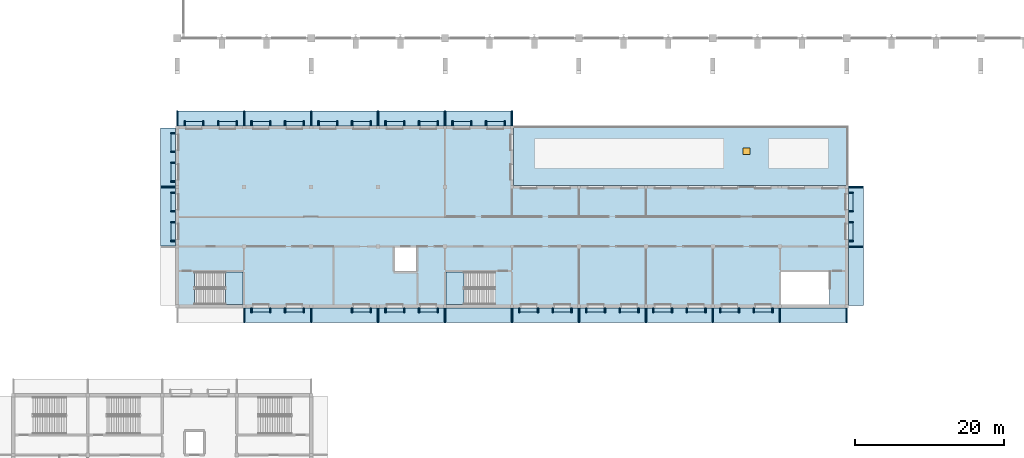
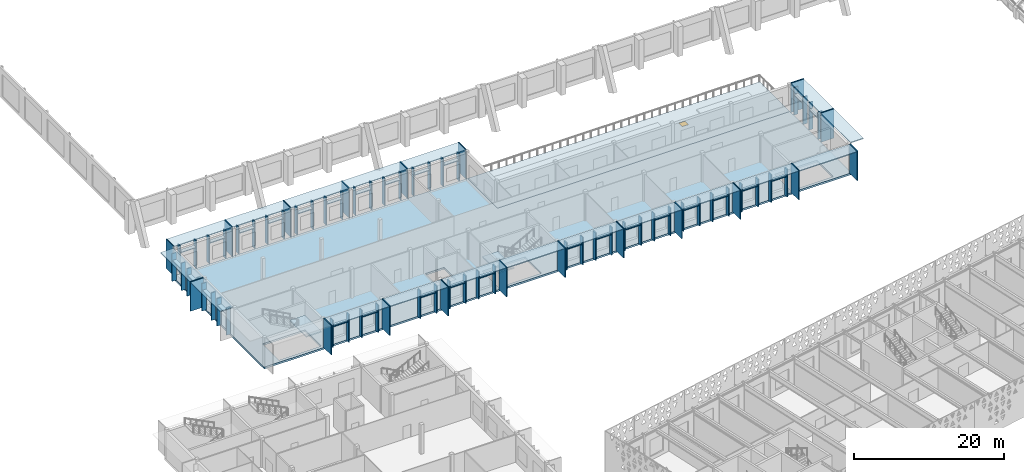
# One storey, part 99 of 182: 124 plates, 4 slabs, 1 window, 1 opening, 2 elements without a shape of their own.
"""IFC4 building model written with IfcOpenShell, lengths in metres."""

from ifc_helpers import new_model, si_unit, direction, frame, origin, origin_2d, place, context, subcontext, project, spatial, polyline, rectangle, outline, extrude, material, layer, layer_set, type_object, element, fill, aggregate, save


model = new_model("IFC4")

# Units and contexts
model_context = context("Model", 3, precision=1e-05, world=origin(), true_north=direction((0.0, 1.0)))
body_context = subcontext(model_context, "Body", "Model", "MODEL_VIEW")
ifc_project = project(units=[si_unit("LENGTHUNIT", "METRE"), si_unit("AREAUNIT", "SQUARE_METRE"), si_unit("VOLUMEUNIT", "CUBIC_METRE"), si_unit("PLANEANGLEUNIT", "RADIAN"), si_unit("MASSUNIT", "GRAM", prefix="KILO")], contexts=[model_context])

# Site, building, storey
site_placement = place(None, origin())
site = spatial("IfcSite", under=ifc_project, at=site_placement, CompositionType="ELEMENT")
building_placement = place(site_placement, origin())
building = spatial("IfcBuilding", under=site, at=building_placement, Name="Okhra Congress Centre", CompositionType="ELEMENT")
storey_placement = place(building_placement, frame((0.0, 0.0, 7.199951171875)))
storey = spatial("IfcBuildingStorey", under=building, at=storey_placement, Name="L01", CompositionType="ELEMENT", Elevation=7.199951171875)

# Plates
ifc_material_1 = material(Name="Precast concrete C40/50", Category="concrete")
plate_type_1 = type_object("IfcPlateType", Name="Precast concrete blade 150x2000 C40/50", PredefinedType="SHEET", material=ifc_material_1)
for number, where, z_axis, x_axis, name in (
    (1, (37.0, 94.77490234375, 0.0), (0.0, 0.0, 1.0), (1.0, 0.0, 0.0), "SV.PLT.L01.blade-2"),
    (2, (46.0, 94.77490234375, 0.0), (0.0, 0.0, 1.0), (1.0, 0.0, 0.0), "SV.PLT.L01.blade-3"),
    (3, (55.0, 94.77490234375, 0.0), (0.0, 0.0, 1.0), (1.0, 0.0, 0.0), "SV.PLT.L01.blade-4"),
    (4, (64.0, 94.77490234375, 0.0), (0.0, 0.0, 1.0), (1.0, 0.0, 0.0), "SV.PLT.L01.blade-5"),
    (5, (73.0, 94.77490234375, 0.0), (0.0, 0.0, 1.0), (1.0, 0.0, 0.0), "SV.PLT.L01.blade-6"),
    (6, (82.0, 94.77490234375, 0.0), (0.0, 0.0, 1.0), (1.0, 0.0, 0.0), "SV.PLT.L01.blade-7"),
    (7, (91.0, 94.77490234375, 0.0), (0.0, 0.0, 1.0), (1.0, 0.0, 0.0), "SV.PLT.L01.blade-8"),
    (8, (100.0, 94.77490234375, 0.0), (0.0, 0.0, 1.0), (1.0, 0.0, 0.0), "SV.PLT.L01.blade-9"),
    (9, (109.0, 94.77490234375, 0.0), (0.0, 0.0, 1.0), (1.0, 0.0, 0.0), "SV.PLT.L01.blade-10"),
    (10, (118.0, 94.77490234375, 0.0), (0.0, 0.0, 1.0), (1.0, 0.0, 0.0), "SV.PLT.L01.blade-11"),
    (11, (28.0, 121.22509765625, 0.0), (0.0, 0.0, 1.0), (-1.0, 0.0, 0.0), "SV.PLT.L01.blade-12"),
    (12, (37.0, 121.22509765625, 0.0), (0.0, 0.0, 1.0), (-1.0, 0.0, 0.0), "SV.PLT.L01.blade-13"),
    (13, (46.0, 121.22509765625, 0.0), (0.0, 0.0, 1.0), (-1.0, 0.0, 0.0), "SV.PLT.L01.blade-14"),
    (14, (55.0, 121.22509765625, 0.0), (0.0, 0.0, 1.0), (-1.0, 0.0, 0.0), "SV.PLT.L01.blade-15"),
    (15, (64.0, 121.22509765625, 0.0), (0.0, 0.0, 1.0), (-1.0, 0.0, 0.0), "SV.PLT.L01.blade-16"),
    (16, (73.0, 121.22509765625, 0.0), (0.0, 0.0, 1.0), (-1.0, 0.0, 0.0), "SV.PLT.L01.blade-17"),
    (17, (26.77490234375, 112.0, 0.0), (0.0, 0.0, 1.0), (0.0, -1.0, 0.0), "SV.PLT.L01.blade-19"),
    (18, (119.22509765625, 104.0, 0.0), (0.0, 0.0, 1.0), (0.0, 1.0, 0.0), "SV.PLT.L01.blade-20"),
    (19, (119.22509765625, 112.0, 0.0), (0.0, 0.0, 1.0), (0.0, 1.0, 0.0), "SV.PLT.L01.blade-21"),
):
    element("IfcPlate", number, at=place(storey_placement, frame(where, z_axis=z_axis, x_axis=x_axis)), inside=storey, type_object=plate_type_1, Name=name, PredefinedType="SHEET", context=body_context, shape_type="SweptSolid", body=[
        extrude(rectangle(XDim=0.14990234375, YDim=2.0, at=origin_2d()), origin(), (0.0, 0.0, 1.0), 4.800048828125),
    ])
ifc_layer_1 = layer(ifc_material_1, 0.14990234375)
ifc_layer_set_1 = layer_set([ifc_layer_1], Name="Precast concrete shelf 150x2000 C40/50")
plate_type_2 = type_object("IfcPlateType", Name="Precast concrete shelf 150x2000 C40/50", PredefinedType="SHEET", material=ifc_layer_set_1)
for number, where, z_axis, x_axis, name in (
    (20, (41.5, 94.77490234375, 4.60009765625), (0.0, 0.0, 1.0), (1.0, 0.0, 0.0), "SV.PLT.L01.shelf-2"),
    (21, (50.5, 94.77490234375, 4.60009765625), (0.0, 0.0, 1.0), (1.0, 0.0, 0.0), "SV.PLT.L01.shelf-3"),
    (22, (59.5, 94.77490234375, 4.60009765625), (0.0, 0.0, 1.0), (1.0, 0.0, 0.0), "SV.PLT.L01.shelf-4"),
    (23, (68.5, 94.77490234375, 4.60009765625), (0.0, 0.0, 1.0), (1.0, 0.0, 0.0), "SV.PLT.L01.shelf-5"),
    (24, (77.5, 94.77490234375, 4.60009765625), (0.0, 0.0, 1.0), (1.0, 0.0, 0.0), "SV.PLT.L01.shelf-6"),
    (25, (86.5, 94.77490234375, 4.60009765625), (0.0, 0.0, 1.0), (1.0, 0.0, 0.0), "SV.PLT.L01.shelf-7"),
    (26, (95.5, 94.77490234375, 4.60009765625), (0.0, 0.0, 1.0), (1.0, 0.0, 0.0), "SV.PLT.L01.shelf-8"),
    (27, (104.5, 94.77490234375, 4.60009765625), (0.0, 0.0, 1.0), (1.0, 0.0, 0.0), "SV.PLT.L01.shelf-9"),
    (28, (113.5, 94.77490234375, 4.60009765625), (0.0, 0.0, 1.0), (1.0, 0.0, 0.0), "SV.PLT.L01.shelf-10"),
    (29, (32.5, 121.22509765625, 4.60009765625), (0.0, 0.0, 1.0), (-1.0, 0.0, 0.0), "SV.PLT.L01.shelf-11"),
    (30, (41.5, 121.22509765625, 4.60009765625), (0.0, 0.0, 1.0), (-1.0, 0.0, 0.0), "SV.PLT.L01.shelf-12"),
    (31, (50.5, 121.22509765625, 4.60009765625), (0.0, 0.0, 1.0), (-1.0, 0.0, 0.0), "SV.PLT.L01.shelf-13"),
    (32, (59.5, 121.22509765625, 4.60009765625), (0.0, 0.0, 1.0), (-1.0, 0.0, 0.0), "SV.PLT.L01.shelf-14"),
    (33, (68.5, 121.22509765625, 4.60009765625), (0.0, 0.0, 1.0), (-1.0, 0.0, 0.0), "SV.PLT.L01.shelf-15"),
):
    element("IfcPlate", number, at=place(storey_placement, frame(where, z_axis=z_axis, x_axis=x_axis)), inside=storey, type_object=plate_type_2, Name=name, PredefinedType="SHEET", context=body_context, shape_type="SweptSolid", body=[
        extrude(rectangle(XDim=8.840087890625, YDim=2.0, at=origin_2d()), origin(), (0.0, 0.0, 1.0), 0.14990234375),
    ])
for number, where, z_axis, x_axis, name in (
    (34, (26.77490234375, 108.0, 4.60009765625), (0.0, 0.0, 1.0), (0.0, -1.0, 0.0), "SV.PLT.L01.shelf-17"),
    (35, (26.77490234375, 116.0, 4.60009765625), (0.0, 0.0, 1.0), (0.0, -1.0, 0.0), "SV.PLT.L01.shelf-18"),
    (36, (119.22509765625, 100.0, 4.60009765625), (0.0, 0.0, 1.0), (0.0, 1.0, 0.0), "SV.PLT.L01.shelf-19"),
    (37, (119.22509765625, 108.0, 4.60009765625), (0.0, 0.0, 1.0), (0.0, 1.0, 0.0), "SV.PLT.L01.shelf-20"),
):
    element("IfcPlate", number, at=place(storey_placement, frame(where, z_axis=z_axis, x_axis=x_axis)), inside=storey, type_object=plate_type_2, Name=name, PredefinedType="SHEET", context=body_context, shape_type="SweptSolid", body=[
        extrude(rectangle(XDim=7.840087890625, YDim=2.0, at=origin_2d()), origin(), (0.0, 0.0, 1.0), 0.14990234375),
    ])

# Slab
ifc_material_2 = material(Name="Concrete C30/37", Category="concrete")
ifc_layer_2 = layer(ifc_material_2, 0.300048828125)
ifc_layer_set_2 = layer_set([ifc_layer_2], Name="RC floor slab 300 REI 120 C30/37")
slab_type_1 = type_object("IfcSlabType", Name="RC floor slab 300 REI 120 C30/37", PredefinedType="FLOOR", material=ifc_layer_set_2)
slab_1_placement = place(storey_placement, frame((0.0, 0.0, -0.300048828125)))
element("IfcSlab", 38, at=slab_1_placement, inside=storey, type_object=slab_type_1, Name="Floor slab L01", PredefinedType="FLOOR", context=body_context, shape_type="SweptSolid", body=[
    extrude(outline(polyline([(118.22509765625, 95.77490234375), (118.22509765625, 112.22509765625), (73.22509765625, 112.22509765625), (73.22509765625, 120.22509765625), (27.77490234375, 120.22509765625), (27.77490234375, 95.77490234375), (118.22509765625, 95.77490234375)]), holes=[polyline([(30.327880859375, 96.22509765625), (36.85009765625, 96.22509765625), (36.85009765625, 100.574951171875), (30.327880859375, 100.574951171875), (30.327880859375, 96.22509765625)]), polyline([(70.7470703125, 100.574951171875), (64.14990234375, 100.574951171875), (64.14990234375, 96.22509765625), (70.7470703125, 96.22509765625), (70.7470703125, 100.574951171875)]), polyline([(115.672119140625, 100.574951171875), (109.14990234375, 100.574951171875), (109.14990234375, 96.22509765625), (115.672119140625, 96.22509765625), (115.672119140625, 100.574951171875)]), polyline([(57.25, 100.64990234375), (60.14990234375, 100.64990234375), (60.14990234375, 103.875), (57.25, 103.875), (57.25, 100.64990234375)])]), origin(), (0.0, 0.0, 1.0), 0.300048828125),
])

# Slab, opening, window
ifc_layer_3 = layer(ifc_material_2, 0.300048828125)
ifc_layer_set_3 = layer_set([ifc_layer_3], Name="RC roof terrace slab 300 REI 120 C30/37")
slab_type_2 = type_object("IfcSlabType", Name="RC roof terrace slab 300 REI 120 C30/37", PredefinedType="ROOF", material=ifc_layer_set_3)
slab_2_placement = place(storey_placement, frame((0.0, 0.0, -0.300048828125)))
slab_2 = element("IfcSlab", 39, at=slab_2_placement, inside=storey, type_object=slab_type_2, Name="Roof garden slab, north strip", PredefinedType="ROOF", context=body_context, shape_type="SweptSolid", body=[
    extrude(outline(polyline([(73.22509765625, 112.22509765625), (118.22509765625, 112.22509765625), (118.22509765625, 120.22509765625), (73.22509765625, 120.22509765625), (73.22509765625, 112.22509765625)])), origin(), (0.0, 0.0, 1.0), 0.300048828125),
])
opening_placement = place(slab_2_placement, frame((104.5, 116.800048828125, 0.0)))
opening = element("IfcOpeningElement", 40, at=opening_placement, cuts=slab_2, Name="Opening RH1", PredefinedType="OPENING", context=body_context, shape_type="SweptSolid", body=[
    extrude(rectangle(XDim=0.89990234375, YDim=0.89990234375, at=origin_2d()), origin(), (0.0, 0.0, 1.0), 0.300048828125),
])
ifc_material_3 = material(Name="Insulated aluminium hatch with double-skin lid", Category="aluminium")
window_type = type_object("IfcWindowType", Name="Roof access hatch 900x900", PartitioningType="SINGLE_PANEL", PredefinedType="SKYLIGHT", material=ifc_material_3)
window_placement = place(opening_placement, frame((0.0, 0.0, 0.25)))
window = element("IfcWindow", 41, at=window_placement, inside=storey, type_object=window_type, Name="Roof access hatch", OverallHeight=0.89990234375, OverallWidth=0.89990234375, PartitioningType="SINGLE_PANEL", PredefinedType="SKYLIGHT", context=body_context, shape_type="SweptSolid", body=[
    extrude(rectangle(XDim=0.89990234375, YDim=0.89990234375, at=origin_2d()), origin(), (0.0, 0.0, 1.0), 0.050048828125),
])
fill(opening, window)

# Stair, slab
stair_type = type_object("IfcStairType", Name="Escape stair 2100 wide, 30 risers of 160.0", PredefinedType="HALF_TURN_STAIR", material=ifc_material_2)
stair_1_placement = place(storey_placement, origin())
stair_1 = element("IfcStair", 42, at=stair_1_placement, inside=storey, type_object=stair_type, Name="L01 Stair A", PredefinedType="HALF_TURN_STAIR")
ifc_layer_4 = layer(ifc_material_2, 0.199951171875)
ifc_layer_set_4 = layer_set([ifc_layer_4], Name="RC stair landing 200 C30/37")
slab_type_3 = type_object("IfcSlabType", Name="RC stair landing 200 C30/37", PredefinedType="LANDING", material=ifc_layer_set_4)
slab_3_placement = place(storey_placement, frame((0.0, 0.0, 2.199951171875)))
slab_3 = element("IfcSlab", 43, at=slab_3_placement, type_object=slab_type_3, Name="A landing 1", PredefinedType="LANDING", context=body_context, shape_type="SweptSolid", body=[
    extrude(outline(polyline([(34.52490234375, 96.22509765625), (36.85009765625, 96.22509765625), (36.85009765625, 100.574951171875), (34.52490234375, 100.574951171875), (34.52490234375, 96.22509765625)])), origin(), (0.0, 0.0, 1.0), 0.2001953125),
])
aggregate(stair_1, [slab_3])

stair_2_placement = place(storey_placement, origin())
stair_2 = element("IfcStair", 44, at=stair_2_placement, inside=storey, type_object=stair_type, Name="L01 Stair B", PredefinedType="HALF_TURN_STAIR")
slab_4_placement = place(storey_placement, frame((0.0, 0.0, 2.199951171875)))
slab_4 = element("IfcSlab", 45, at=slab_4_placement, type_object=slab_type_3, Name="B landing 1", PredefinedType="LANDING", context=body_context, shape_type="SweptSolid", body=[
    extrude(outline(polyline([(66.550048828125, 100.574951171875), (64.14990234375, 100.574951171875), (64.14990234375, 96.22509765625), (66.550048828125, 96.22509765625), (66.550048828125, 100.574951171875)])), origin(), (0.0, 0.0, 1.0), 0.2001953125),
])
aggregate(stair_2, [slab_4])

# Plates
ifc_material_4 = material(Name="Weathering steel S355J0WP", Category="steel")
plate_type_3 = type_object("IfcPlateType", Name="Weathering steel fin 150x650", PredefinedType="SHEET", material=ifc_material_4)
for number, where, z_axis, x_axis, name in (
    (46, (38.0, 95.449951171875, 0.0), (0.0, 0.0, 1.0), (1.0, 0.0, 0.0), "SV.PLT.L01.fin-1"),
    (47, (40.5, 95.449951171875, 0.0), (0.0, 0.0, 1.0), (1.0, 0.0, 0.0), "SV.PLT.L01.fin-2"),
    (48, (42.5, 95.449951171875, 0.0), (0.0, 0.0, 1.0), (1.0, 0.0, 0.0), "SV.PLT.L01.fin-3"),
    (49, (45.0, 95.449951171875, 0.0), (0.0, 0.0, 1.0), (1.0, 0.0, 0.0), "SV.PLT.L01.fin-4"),
    (50, (51.5, 95.449951171875, 0.0), (0.0, 0.0, 1.0), (1.0, 0.0, 0.0), "SV.PLT.L01.fin-5"),
    (51, (54.0, 95.449951171875, 0.0), (0.0, 0.0, 1.0), (1.0, 0.0, 0.0), "SV.PLT.L01.fin-6"),
    (52, (56.0, 95.449951171875, 0.0), (0.0, 0.0, 1.0), (1.0, 0.0, 0.0), "SV.PLT.L01.fin-7"),
    (53, (58.5, 95.449951171875, 0.0), (0.0, 0.0, 1.0), (1.0, 0.0, 0.0), "SV.PLT.L01.fin-8"),
    (54, (60.5, 95.449951171875, 0.0), (0.0, 0.0, 1.0), (1.0, 0.0, 0.0), "SV.PLT.L01.fin-9"),
    (55, (63.0, 95.449951171875, 0.0), (0.0, 0.0, 1.0), (1.0, 0.0, 0.0), "SV.PLT.L01.fin-10"),
    (56, (74.0, 95.449951171875, 0.0), (0.0, 0.0, 1.0), (1.0, 0.0, 0.0), "SV.PLT.L01.fin-11"),
    (57, (76.5, 95.449951171875, 0.0), (0.0, 0.0, 1.0), (1.0, 0.0, 0.0), "SV.PLT.L01.fin-12"),
    (58, (78.5, 95.449951171875, 0.0), (0.0, 0.0, 1.0), (1.0, 0.0, 0.0), "SV.PLT.L01.fin-13"),
    (59, (81.0, 95.449951171875, 0.0), (0.0, 0.0, 1.0), (1.0, 0.0, 0.0), "SV.PLT.L01.fin-14"),
    (60, (83.0, 95.449951171875, 0.0), (0.0, 0.0, 1.0), (1.0, 0.0, 0.0), "SV.PLT.L01.fin-15"),
    (61, (85.5, 95.449951171875, 0.0), (0.0, 0.0, 1.0), (1.0, 0.0, 0.0), "SV.PLT.L01.fin-16"),
    (62, (87.5, 95.449951171875, 0.0), (0.0, 0.0, 1.0), (1.0, 0.0, 0.0), "SV.PLT.L01.fin-17"),
    (63, (90.0, 95.449951171875, 0.0), (0.0, 0.0, 1.0), (1.0, 0.0, 0.0), "SV.PLT.L01.fin-18"),
    (64, (92.0, 95.449951171875, 0.0), (0.0, 0.0, 1.0), (1.0, 0.0, 0.0), "SV.PLT.L01.fin-19"),
    (65, (94.5, 95.449951171875, 0.0), (0.0, 0.0, 1.0), (1.0, 0.0, 0.0), "SV.PLT.L01.fin-20"),
    (66, (96.5, 95.449951171875, 0.0), (0.0, 0.0, 1.0), (1.0, 0.0, 0.0), "SV.PLT.L01.fin-21"),
    (67, (99.0, 95.449951171875, 0.0), (0.0, 0.0, 1.0), (1.0, 0.0, 0.0), "SV.PLT.L01.fin-22"),
    (68, (101.0, 95.449951171875, 0.0), (0.0, 0.0, 1.0), (1.0, 0.0, 0.0), "SV.PLT.L01.fin-23"),
    (69, (103.5, 95.449951171875, 0.0), (0.0, 0.0, 1.0), (1.0, 0.0, 0.0), "SV.PLT.L01.fin-24"),
    (70, (105.5, 95.449951171875, 0.0), (0.0, 0.0, 1.0), (1.0, 0.0, 0.0), "SV.PLT.L01.fin-25"),
    (71, (108.0, 95.449951171875, 0.0), (0.0, 0.0, 1.0), (1.0, 0.0, 0.0), "SV.PLT.L01.fin-26"),
    (72, (29.0, 120.550048828125, 0.0), (0.0, 0.0, 1.0), (-1.0, 0.0, 0.0), "SV.PLT.L01.fin-27"),
    (73, (31.5, 120.550048828125, 0.0), (0.0, 0.0, 1.0), (-1.0, 0.0, 0.0), "SV.PLT.L01.fin-28"),
    (74, (33.5, 120.550048828125, 0.0), (0.0, 0.0, 1.0), (-1.0, 0.0, 0.0), "SV.PLT.L01.fin-29"),
    (75, (36.0, 120.550048828125, 0.0), (0.0, 0.0, 1.0), (-1.0, 0.0, 0.0), "SV.PLT.L01.fin-30"),
    (76, (38.0, 120.550048828125, 0.0), (0.0, 0.0, 1.0), (-1.0, 0.0, 0.0), "SV.PLT.L01.fin-31"),
    (77, (40.5, 120.550048828125, 0.0), (0.0, 0.0, 1.0), (-1.0, 0.0, 0.0), "SV.PLT.L01.fin-32"),
    (78, (42.5, 120.550048828125, 0.0), (0.0, 0.0, 1.0), (-1.0, 0.0, 0.0), "SV.PLT.L01.fin-33"),
    (79, (45.0, 120.550048828125, 0.0), (0.0, 0.0, 1.0), (-1.0, 0.0, 0.0), "SV.PLT.L01.fin-34"),
    (80, (47.0, 120.550048828125, 0.0), (0.0, 0.0, 1.0), (-1.0, 0.0, 0.0), "SV.PLT.L01.fin-35"),
    (81, (49.5, 120.550048828125, 0.0), (0.0, 0.0, 1.0), (-1.0, 0.0, 0.0), "SV.PLT.L01.fin-36"),
    (82, (51.5, 120.550048828125, 0.0), (0.0, 0.0, 1.0), (-1.0, 0.0, 0.0), "SV.PLT.L01.fin-37"),
    (83, (54.0, 120.550048828125, 0.0), (0.0, 0.0, 1.0), (-1.0, 0.0, 0.0), "SV.PLT.L01.fin-38"),
    (84, (56.0, 120.550048828125, 0.0), (0.0, 0.0, 1.0), (-1.0, 0.0, 0.0), "SV.PLT.L01.fin-39"),
    (85, (58.5, 120.550048828125, 0.0), (0.0, 0.0, 1.0), (-1.0, 0.0, 0.0), "SV.PLT.L01.fin-40"),
    (86, (60.5, 120.550048828125, 0.0), (0.0, 0.0, 1.0), (-1.0, 0.0, 0.0), "SV.PLT.L01.fin-41"),
    (87, (63.0, 120.550048828125, 0.0), (0.0, 0.0, 1.0), (-1.0, 0.0, 0.0), "SV.PLT.L01.fin-42"),
    (88, (65.0, 120.550048828125, 0.0), (0.0, 0.0, 1.0), (-1.0, 0.0, 0.0), "SV.PLT.L01.fin-43"),
    (89, (67.5, 120.550048828125, 0.0), (0.0, 0.0, 1.0), (-1.0, 0.0, 0.0), "SV.PLT.L01.fin-44"),
    (90, (69.5, 120.550048828125, 0.0), (0.0, 0.0, 1.0), (-1.0, 0.0, 0.0), "SV.PLT.L01.fin-45"),
    (91, (72.0, 120.550048828125, 0.0), (0.0, 0.0, 1.0), (-1.0, 0.0, 0.0), "SV.PLT.L01.fin-46"),
    (92, (27.449951171875, 104.75, 0.0), (0.0, 0.0, 1.0), (0.0, -1.0, 0.0), "SV.PLT.L01.fin-47"),
    (93, (27.449951171875, 107.25, 0.0), (0.0, 0.0, 1.0), (0.0, -1.0, 0.0), "SV.PLT.L01.fin-48"),
    (94, (27.449951171875, 108.75, 0.0), (0.0, 0.0, 1.0), (0.0, -1.0, 0.0), "SV.PLT.L01.fin-49"),
    (95, (27.449951171875, 111.25, 0.0), (0.0, 0.0, 1.0), (0.0, -1.0, 0.0), "SV.PLT.L01.fin-50"),
    (96, (27.449951171875, 112.75, 0.0), (0.0, 0.0, 1.0), (0.0, -1.0, 0.0), "SV.PLT.L01.fin-51"),
    (97, (27.449951171875, 115.25, 0.0), (0.0, 0.0, 1.0), (0.0, -1.0, 0.0), "SV.PLT.L01.fin-52"),
    (98, (27.449951171875, 116.75, 0.0), (0.0, 0.0, 1.0), (0.0, -1.0, 0.0), "SV.PLT.L01.fin-53"),
    (99, (27.449951171875, 119.25, 0.0), (0.0, 0.0, 1.0), (0.0, -1.0, 0.0), "SV.PLT.L01.fin-54"),
    (100, (118.550048828125, 104.75, 0.0), (0.0, 0.0, 1.0), (0.0, 1.0, 0.0), "SV.PLT.L01.fin-55"),
    (101, (118.550048828125, 107.25, 0.0), (0.0, 0.0, 1.0), (0.0, 1.0, 0.0), "SV.PLT.L01.fin-56"),
    (102, (118.550048828125, 108.75, 0.0), (0.0, 0.0, 1.0), (0.0, 1.0, 0.0), "SV.PLT.L01.fin-57"),
    (103, (118.550048828125, 111.25, 0.0), (0.0, 0.0, 1.0), (0.0, 1.0, 0.0), "SV.PLT.L01.fin-58"),
):
    element("IfcPlate", number, at=place(storey_placement, frame(where, z_axis=z_axis, x_axis=x_axis)), inside=storey, type_object=plate_type_3, Name=name, PredefinedType="SHEET", context=body_context, shape_type="SweptSolid", body=[
        extrude(rectangle(XDim=0.14990234375, YDim=0.64990234375, at=origin_2d()), origin(), (0.0, 0.0, 1.0), 4.47998046875),
    ])
ifc_layer_5 = layer(ifc_material_4, 0.1201171875)
ifc_layer_set_5 = layer_set([ifc_layer_5], Name="Weathering steel window hood 600x120")
plate_type_4 = type_object("IfcPlateType", Name="Weathering steel window hood 600x120", PredefinedType="SHEET", material=ifc_layer_set_5)
for number, where, z_axis, x_axis, name in (
    (104, (39.25, 95.47509765625, 3.2900390625), (0.0, 0.0, 1.0), (1.0, 0.0, 0.0), "SV.PLT.L01.hood-1"),
    (105, (43.75, 95.47509765625, 3.2900390625), (0.0, 0.0, 1.0), (1.0, 0.0, 0.0), "SV.PLT.L01.hood-2"),
    (106, (52.75, 95.47509765625, 3.2900390625), (0.0, 0.0, 1.0), (1.0, 0.0, 0.0), "SV.PLT.L01.hood-3"),
    (107, (57.25, 95.47509765625, 3.2900390625), (0.0, 0.0, 1.0), (1.0, 0.0, 0.0), "SV.PLT.L01.hood-4"),
    (108, (61.75, 95.47509765625, 3.2900390625), (0.0, 0.0, 1.0), (1.0, 0.0, 0.0), "SV.PLT.L01.hood-5"),
    (109, (75.25, 95.47509765625, 3.2900390625), (0.0, 0.0, 1.0), (1.0, 0.0, 0.0), "SV.PLT.L01.hood-6"),
    (110, (79.75, 95.47509765625, 3.2900390625), (0.0, 0.0, 1.0), (1.0, 0.0, 0.0), "SV.PLT.L01.hood-7"),
    (111, (84.25, 95.47509765625, 3.2900390625), (0.0, 0.0, 1.0), (1.0, 0.0, 0.0), "SV.PLT.L01.hood-8"),
    (112, (88.75, 95.47509765625, 3.2900390625), (0.0, 0.0, 1.0), (1.0, 0.0, 0.0), "SV.PLT.L01.hood-9"),
    (113, (93.25, 95.47509765625, 3.2900390625), (0.0, 0.0, 1.0), (1.0, 0.0, 0.0), "SV.PLT.L01.hood-10"),
    (114, (97.75, 95.47509765625, 3.2900390625), (0.0, 0.0, 1.0), (1.0, 0.0, 0.0), "SV.PLT.L01.hood-11"),
    (115, (102.25, 95.47509765625, 3.2900390625), (0.0, 0.0, 1.0), (1.0, 0.0, 0.0), "SV.PLT.L01.hood-12"),
    (116, (106.75, 95.47509765625, 3.2900390625), (0.0, 0.0, 1.0), (1.0, 0.0, 0.0), "SV.PLT.L01.hood-13"),
    (117, (30.25, 120.52490234375, 3.2900390625), (0.0, 0.0, 1.0), (-1.0, 0.0, 0.0), "SV.PLT.L01.hood-14"),
    (118, (34.75, 120.52490234375, 3.2900390625), (0.0, 0.0, 1.0), (-1.0, 0.0, 0.0), "SV.PLT.L01.hood-15"),
    (119, (39.25, 120.52490234375, 3.2900390625), (0.0, 0.0, 1.0), (-1.0, 0.0, 0.0), "SV.PLT.L01.hood-16"),
    (120, (43.75, 120.52490234375, 3.2900390625), (0.0, 0.0, 1.0), (-1.0, 0.0, 0.0), "SV.PLT.L01.hood-17"),
    (121, (48.25, 120.52490234375, 3.2900390625), (0.0, 0.0, 1.0), (-1.0, 0.0, 0.0), "SV.PLT.L01.hood-18"),
    (122, (52.75, 120.52490234375, 3.2900390625), (0.0, 0.0, 1.0), (-1.0, 0.0, 0.0), "SV.PLT.L01.hood-19"),
    (123, (57.25, 120.52490234375, 3.2900390625), (0.0, 0.0, 1.0), (-1.0, 0.0, 0.0), "SV.PLT.L01.hood-20"),
    (124, (61.75, 120.52490234375, 3.2900390625), (0.0, 0.0, 1.0), (-1.0, 0.0, 0.0), "SV.PLT.L01.hood-21"),
    (125, (66.25, 120.52490234375, 3.2900390625), (0.0, 0.0, 1.0), (-1.0, 0.0, 0.0), "SV.PLT.L01.hood-22"),
    (126, (70.75, 120.52490234375, 3.2900390625), (0.0, 0.0, 1.0), (-1.0, 0.0, 0.0), "SV.PLT.L01.hood-23"),
    (127, (27.47509765625, 106.0, 3.2900390625), (0.0, 0.0, 1.0), (0.0, -1.0, 0.0), "SV.PLT.L01.hood-24"),
    (128, (27.47509765625, 110.0, 3.2900390625), (0.0, 0.0, 1.0), (0.0, -1.0, 0.0), "SV.PLT.L01.hood-25"),
    (129, (27.47509765625, 114.0, 3.2900390625), (0.0, 0.0, 1.0), (0.0, -1.0, 0.0), "SV.PLT.L01.hood-26"),
    (130, (27.47509765625, 118.0, 3.2900390625), (0.0, 0.0, 1.0), (0.0, -1.0, 0.0), "SV.PLT.L01.hood-27"),
    (131, (118.52490234375, 106.0, 3.2900390625), (0.0, 0.0, 1.0), (0.0, 1.0, 0.0), "SV.PLT.L01.hood-28"),
    (132, (118.52490234375, 110.0, 3.2900390625), (0.0, 0.0, 1.0), (0.0, 1.0, 0.0), "SV.PLT.L01.hood-29"),
):
    element("IfcPlate", number, at=place(storey_placement, frame(where, z_axis=z_axis, x_axis=x_axis)), inside=storey, type_object=plate_type_4, Name=name, PredefinedType="SHEET", context=body_context, shape_type="SweptSolid", body=[
        extrude(rectangle(XDim=2.340087890625, YDim=0.60009765625, at=origin_2d()), origin(), (0.0, 0.0, 1.0), 0.1201171875),
    ])

save(model, "model.ifc")
